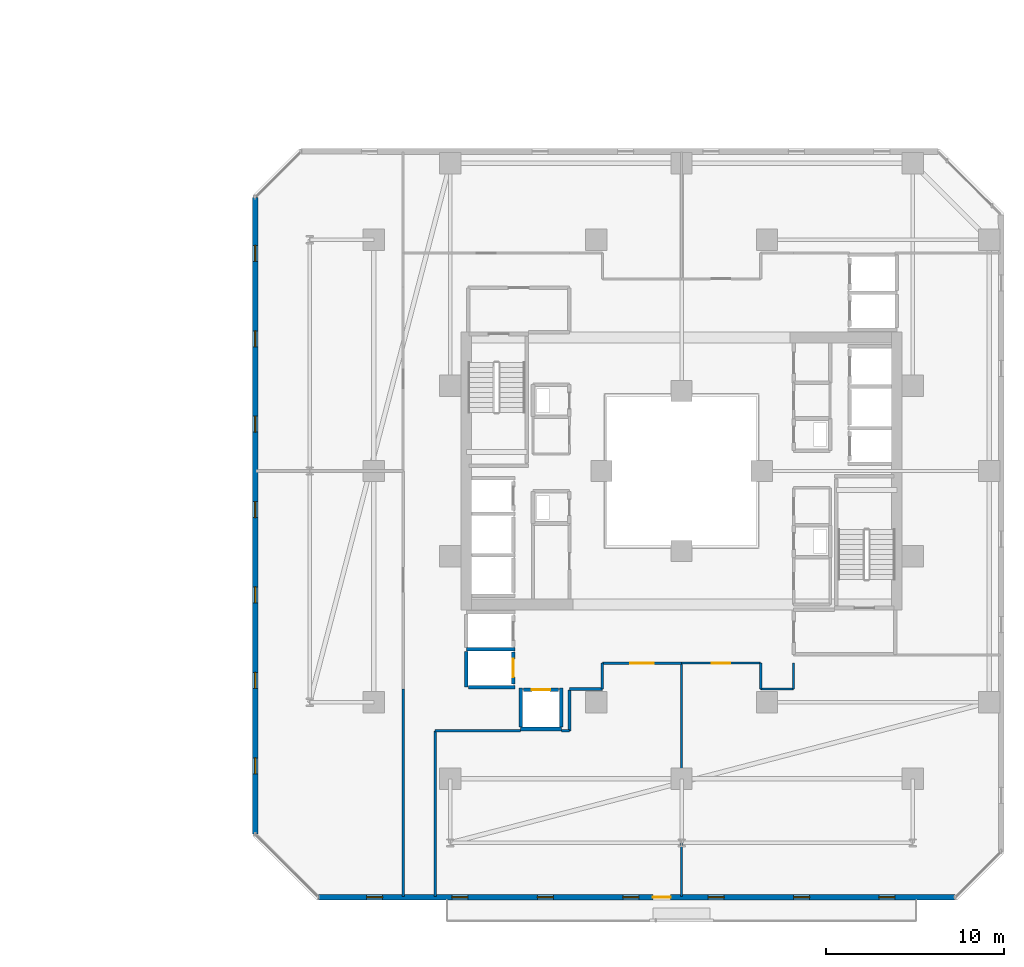
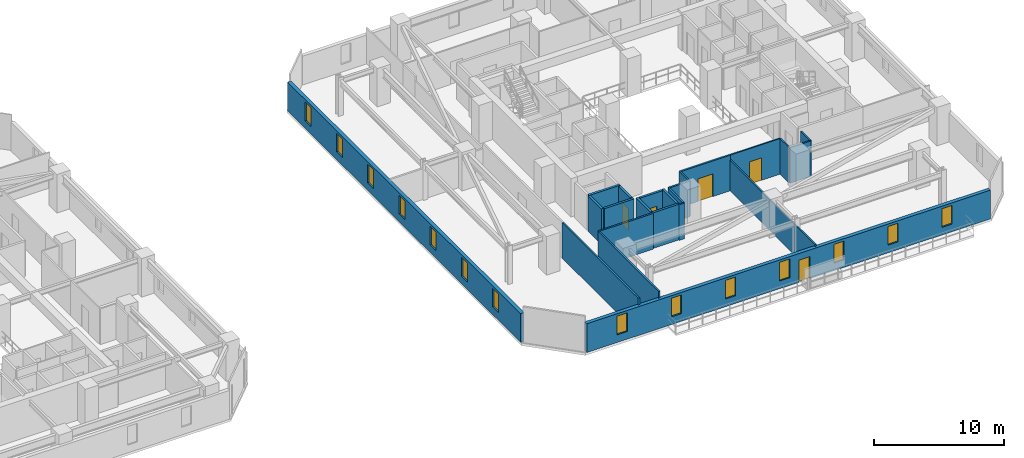
# One storey, part 23 of 33: 23 walls, 14 windows, 5 doors, 19 openings.
"""IFC4 building model written with IfcOpenShell, lengths in metres."""

import ifcopenshell
import ifcopenshell.guid

model = None  # the IFC model being written
_history = None  # IfcOwnerHistory: only IFC2X3 demands one
_inside = {}  # id of a spatial element -> (the spatial element, [elements in it])
_under = {}  # id of a project, library or spatial element -> (it, [spatial elements below it])
_declared = {}  # id of a project -> (the project, [libraries it declares])
_typed = {}  # id of a type object -> (the type object, [elements of that type])
_made_of = {}  # id of a material, layer set ... -> (it, [elements and type objects made of it])


def new_model(schema):
    """Start an empty IFC model of exactly this schema.

    Asked for "IFC4X3", IfcOpenShell would pick the latest addendum, in which some entities
    have other attributes; the version numbers below select the first issue.
    IFC2X3 requires an IfcOwnerHistory on every rooted entity: one is made here for all.
    """
    global model, _history
    if schema == "IFC4X3":
        model = ifcopenshell.file(schema_version=(4, 3, 0, 0))
    else:
        model = ifcopenshell.file(schema=schema)
    _inside.clear()
    _under.clear()
    _declared.clear()
    _typed.clear()
    _made_of.clear()
    _history = None
    if model.schema == "IFC2X3":
        org = make("IfcOrganization", Name="unknown")
        user = make(
            "IfcPersonAndOrganization",
            ThePerson=make("IfcPerson", FamilyName="unknown"),
            TheOrganization=org,
        )
        app = make(
            "IfcApplication",
            ApplicationDeveloper=org,
            Version="unknown",
            ApplicationFullName="unknown",
            ApplicationIdentifier="unknown",
        )
        _history = make(
            "IfcOwnerHistory",
            OwningUser=user,
            OwningApplication=app,
            ChangeAction="ADDED",
            CreationDate=0,
        )
    return model


def make(cls, **values):
    """One entity of the class cls with the attributes given. An attribute that is None is left unset."""
    return model.create_entity(
        cls, **{name: value for name, value in values.items() if value is not None}
    )


def rooted(cls, **values):
    """An entity with a GlobalId (a new one), such as an element, a storey or a relation."""
    return make(cls, GlobalId=ifcopenshell.guid.new(), OwnerHistory=_history, **values)


def si_unit(unit_type, name, prefix=None):
    """IfcSIUnit, for example si_unit("LENGTHUNIT", "METRE", prefix="MILLI")."""
    return make("IfcSIUnit", UnitType=unit_type, Prefix=prefix, Name=name)


def assignment(units):
    """IfcUnitAssignment: the units of a project."""
    return None if units is None else make("IfcUnitAssignment", Units=units)


def point(xyz):
    """IfcCartesianPoint."""
    return None if xyz is None else make("IfcCartesianPoint", Coordinates=xyz)


def direction(xyz):
    """IfcDirection."""
    return None if xyz is None else make("IfcDirection", DirectionRatios=xyz)


def frame(location, z_axis=None, x_axis=None):
    """IfcAxis2Placement3D, a coordinate frame: its origin and axes. An axis left out is left unset."""
    return make(
        "IfcAxis2Placement3D",
        Location=point(location),
        Axis=direction(z_axis),
        RefDirection=direction(x_axis),
    )


def frame_2d(location, x_axis=None):
    """IfcAxis2Placement2D, a coordinate frame in the plane: its origin and x axis."""
    return make(
        "IfcAxis2Placement2D", Location=point(location), RefDirection=direction(x_axis)
    )


def origin():
    """The frame at (0, 0, 0) with its axes left unset."""
    return frame((0.0, 0.0, 0.0))


def place(relative_to, where):
    """IfcLocalPlacement: puts the frame where relative to a parent placement (None: the world)."""
    return make(
        "IfcLocalPlacement", PlacementRelTo=relative_to, RelativePlacement=where
    )


def context(
    kind, dimensions, precision=None, world=None, true_north=None, identifier=None
):
    """IfcGeometricRepresentationContext, for example the 3D "Model" context."""
    return make(
        "IfcGeometricRepresentationContext",
        ContextIdentifier=identifier,
        ContextType=kind,
        CoordinateSpaceDimension=dimensions,
        Precision=precision,
        WorldCoordinateSystem=world,
        TrueNorth=true_north,
    )


def subcontext(parent, identifier, kind, view, scale=None):
    """IfcGeometricRepresentationSubContext, for example "Body" below "Model"."""
    return make(
        "IfcGeometricRepresentationSubContext",
        ContextIdentifier=identifier,
        ContextType=kind,
        ParentContext=parent,
        TargetScale=scale,
        TargetView=view,
    )


def project(units=None, contexts=None):
    """IfcProject with its units and contexts."""
    return rooted(
        "IfcProject",
        Name="project",
        RepresentationContexts=contexts,
        UnitsInContext=assignment(units),
    )


def spatial(cls, under=None, at=None, **own):
    """A site, building, storey or space (cls), placed at a placement, below another one or the project."""
    s = rooted(cls, ObjectPlacement=at, **own)
    if under is not None:
        _under.setdefault(under.id(), (under, []))[1].append(s)
    return s


def profile(cls, at=None, kind="AREA", **sizes):
    """A parametric profile (cls). Its sizes go by their IFC names, for example OverallWidth=200.0."""
    return make(cls, ProfileType=kind, Position=at, **sizes)


def rectangle(**sizes):
    """IfcRectangleProfileDef."""
    return profile("IfcRectangleProfileDef", **sizes)


def extrude(swept, where, along, depth):
    """IfcExtrudedAreaSolid: the profile swept, set in the frame where, extruded along a direction by depth."""
    return make(
        "IfcExtrudedAreaSolid",
        SweptArea=swept,
        Position=where,
        ExtrudedDirection=direction(along),
        Depth=depth,
    )


def shape(context_of_items, identifier, shape_type, items):
    """IfcShapeRepresentation: the items that make up one representation, for example the "Body"."""
    return make(
        "IfcShapeRepresentation",
        ContextOfItems=context_of_items,
        RepresentationIdentifier=identifier,
        RepresentationType=shape_type,
        Items=items,
    )


def material(Name=None, Category=None):
    """IfcMaterial."""
    return make("IfcMaterial", Name=Name, Category=Category)


def layer(
    of_material, thickness, ventilated=None, Name=None, Category=None, Priority=None
):
    """IfcMaterialLayer: one layer of a wall or slab, of a material (None: an air gap)."""
    return make(
        "IfcMaterialLayer",
        Material=of_material,
        LayerThickness=thickness,
        IsVentilated=ventilated,
        Name=Name,
        Category=Category,
        Priority=Priority,
    )


def layer_set(layers, Name=None):
    """IfcMaterialLayerSet."""
    return make("IfcMaterialLayerSet", MaterialLayers=layers, LayerSetName=Name)


def made_of(thing, what):
    """Note that an element or type object is made of a material, layer set ...; save() writes the relation."""
    if what is not None:
        _made_of.setdefault(what.id(), (what, []))[1].append(thing)
    return thing


def type_object(cls, material=None, **own):
    """A type object (cls), such as IfcWallType, which elements share."""
    return made_of(rooted(cls, **own), material)


def element(
    cls,
    number,
    at=None,
    inside=None,
    cuts=None,
    type_object=None,
    material=None,
    context=None,
    identifier="Body",
    shape_type=None,
    held_by="IfcProductDefinitionShape",
    body=None,
    shapes=None,
    **own,
):
    """One element of the class cls, such as IfcWall. Its Tag is "e" and its number.

    at: its placement. inside: the storey or other place that contains it. cuts: it is an
    opening in that element (IfcRelVoidsElement). A single representation is given by context,
    identifier, shape_type and body (its items); several are given by shapes. held_by: the class
    of the entity that holds the representations. save() writes the other relations.
    """
    e = rooted(cls, Tag="e%d" % number, ObjectPlacement=at, **own)
    if body is not None:
        shapes = [shape(context, identifier, shape_type, body)]
    if shapes is not None:
        e.Representation = make(held_by, Representations=shapes)
    if inside is not None:
        _inside.setdefault(inside.id(), (inside, []))[1].append(e)
    if cuts is not None:
        rooted(
            "IfcRelVoidsElement", RelatingBuildingElement=cuts, RelatedOpeningElement=e
        )
    if type_object is not None:
        _typed.setdefault(type_object.id(), (type_object, []))[1].append(e)
    return made_of(e, material)


def fill(opening, filler):
    """IfcRelFillsElement: the door or window that sits in an opening."""
    return rooted(
        "IfcRelFillsElement",
        RelatingOpeningElement=opening,
        RelatedBuildingElement=filler,
    )


def aggregate(whole, parts):
    """IfcRelAggregates: a whole, such as a stair, and the parts it consists of."""
    return rooted("IfcRelAggregates", RelatingObject=whole, RelatedObjects=parts)


def save(model, path):
    """Write the relations noted so far, then the file.

    IfcRelAggregates (storeys below a building ...), IfcRelContainedInSpatialStructure (elements
    in a storey), IfcRelDefinesByType, IfcRelAssociatesMaterial and IfcRelDeclares: one each for
    every whole, place, type object, material and project.
    """
    for whole, parts in _under.values():
        aggregate(whole, parts)
    for where, things in _inside.values():
        rooted(
            "IfcRelContainedInSpatialStructure",
            RelatedElements=things,
            RelatingStructure=where,
        )
    for kind, things in _typed.values():
        rooted("IfcRelDefinesByType", RelatedObjects=things, RelatingType=kind)
    for what, things in _made_of.values():
        rooted("IfcRelAssociatesMaterial", RelatedObjects=things, RelatingMaterial=what)
    for by, libraries in _declared.values():
        rooted("IfcRelDeclares", RelatingContext=by, RelatedDefinitions=libraries)
    model.write(path)


model = new_model("IFC4")

# Units and contexts
model_context = context("Model", 3, precision=1e-05, world=origin(), true_north=direction((0.0, 1.0)))
body_context = subcontext(model_context, "Body", "Model", "MODEL_VIEW")
ifc_project = project(units=[si_unit("LENGTHUNIT", "METRE"), si_unit("AREAUNIT", "SQUARE_METRE"), si_unit("VOLUMEUNIT", "CUBIC_METRE"), si_unit("PLANEANGLEUNIT", "RADIAN"), si_unit("MASSUNIT", "GRAM", prefix="KILO")], contexts=[model_context])

# Site, building, storey
site_placement = place(None, origin())
site = spatial("IfcSite", under=ifc_project, at=site_placement, CompositionType="ELEMENT")
building_placement = place(site_placement, origin())
building = spatial("IfcBuilding", under=site, at=building_placement, Name="Thornwick Lancets Civic Towers", CompositionType="ELEMENT")
storey_placement = place(building_placement, frame((0.0, 0.0, 105.300048828125)))
storey = spatial("IfcBuildingStorey", under=building, at=storey_placement, Name="L27", CompositionType="ELEMENT", Elevation=105.300048828125)

# Wall, opening, door
ifc_material_1 = material(Name="Concrete blockwork C40/50", Category="masonry")
ifc_layer_1 = layer(ifc_material_1, 0.199951171875, Name="Concrete blockwork C40/50")
ifc_layer_set_1 = layer_set([ifc_layer_1], Name="Concrete blockwork C40/50")
wall_type_1 = type_object("IfcWallType", Name="WALL_COMP_200", PredefinedType="STANDARD", material=ifc_layer_set_1)
wall_1_placement = place(storey_placement, frame((79.050048828125, 15.030029296875, 0.0), z_axis=(0.0, 0.0, 1.0), x_axis=(0.0, 1.0, 0.0)))
wall_1 = element("IfcWall", 1, at=wall_1_placement, inside=storey, type_object=wall_type_1, Name="L27 Hoistway Front Wall PL-BM2", PredefinedType="STANDARD", context=body_context, shape_type="SweptSolid", body=[
    extrude(rectangle(XDim=1.7900390625, YDim=0.199951171875, at=frame_2d((0.89501953125, 0.0))), origin(), (0.0, 0.0, 1.0), 3.33984375),
])
opening_1_placement = place(wall_1_placement, frame((0.385009765625, 0.0, 0.0)))
opening_1 = element("IfcOpeningElement", 2, at=opening_1_placement, cuts=wall_1, Name="Opening LD-PL-BM2", PredefinedType="OPENING", context=body_context, shape_type="SweptSolid", body=[
    extrude(rectangle(XDim=1.02001953125, YDim=2.06005859375, at=frame_2d((0.510009765625, 1.030029296875))), frame((0.0, 0.10986328125, 0.0), z_axis=(0.0, -1.0, 0.0), x_axis=(1.0, 0.0, 0.0)), (0.0, 0.0, 1.0), 0.219970703125),
])
ifc_material_2 = material(Name="Brushed bronze stainless steel", Category="steel")
door_type_1 = type_object("IfcDoorType", Name="DOOR_LIFT_SLIDE", OperationType="SLIDING_TO_LEFT", PredefinedType="DOOR", material=ifc_material_2)
door_1_placement = place(opening_1_placement, origin())
door_1 = element("IfcDoor", 3, at=door_1_placement, inside=storey, type_object=door_type_1, Name="L27 Sliding Lift Landing Door LD-PL-BM2", OperationType="SLIDING_TO_LEFT", OverallHeight=2.06005859375, OverallWidth=1.02001953125, PredefinedType="DOOR", context=body_context, shape_type="SweptSolid", body=[
    extrude(rectangle(XDim=1.02001953125, YDim=2.06005859375, at=frame_2d((0.510009765625, 1.030029296875))), frame((0.0, 0.02490234375, 0.0), z_axis=(0.0, -1.0, 0.0), x_axis=(1.0, 0.0, 0.0)), (0.0, 0.0, 1.0), 0.050048828125),
])
fill(opening_1, door_1)

wall_2_placement = place(storey_placement, frame((79.6298828125, 14.699951171875, 0.0), z_axis=(0.0, 0.0, 1.0), x_axis=(1.0, 0.0, 0.0)))
wall_2 = element("IfcWall", 4, at=wall_2_placement, inside=storey, type_object=wall_type_1, Name="L27 Hoistway Front Wall PL-BM3", PredefinedType="STANDARD", context=body_context, shape_type="SweptSolid", body=[
    extrude(rectangle(XDim=1.940185546875, YDim=0.199951171875, at=frame_2d((0.97021484375, 0.0))), origin(), (0.0, 0.0, 1.0), 3.33984375),
])
opening_2_placement = place(wall_2_placement, frame((0.4599609375, 0.0, 0.0)))
opening_2 = element("IfcOpeningElement", 5, at=opening_2_placement, cuts=wall_2, Name="Opening LD-PL-BM3", PredefinedType="OPENING", context=body_context, shape_type="SweptSolid", body=[
    extrude(rectangle(XDim=1.02001953125, YDim=2.06005859375, at=frame_2d((0.510009765625, 1.030029296875))), frame((0.0, 0.10986328125, 0.0), z_axis=(0.0, -1.0, 0.0), x_axis=(1.0, 0.0, 0.0)), (0.0, 0.0, 1.0), 0.219970703125),
])
door_2_placement = place(opening_2_placement, origin())
door_2 = element("IfcDoor", 6, at=door_2_placement, inside=storey, type_object=door_type_1, Name="L27 Sliding Lift Landing Door LD-PL-BM3", OperationType="SLIDING_TO_LEFT", OverallHeight=2.06005859375, OverallWidth=1.02001953125, PredefinedType="DOOR", context=body_context, shape_type="SweptSolid", body=[
    extrude(rectangle(XDim=1.02001953125, YDim=2.06005859375, at=frame_2d((0.510009765625, 1.030029296875))), frame((0.0, 0.02490234375, 0.0), z_axis=(0.0, -1.0, 0.0), x_axis=(1.0, 0.0, 0.0)), (0.0, 0.0, 1.0), 0.050048828125),
])
fill(opening_2, door_2)

# Walls
wall_3_placement = place(storey_placement, frame((76.402099609375, 16.97509765625, 0.0), z_axis=(0.0, 0.0, 1.0), x_axis=(1.0, 0.0, 0.0)))
element("IfcWall", 7, at=wall_3_placement, inside=storey, type_object=wall_type_1, Name="L27 Hoistway Shaft Wall PL-BM1 S", PredefinedType="STANDARD", context=body_context, shape_type="SweptSolid", body=[
    extrude(rectangle(XDim=2.745849609375, YDim=0.199951171875, at=frame_2d((1.373046875, 0.0))), origin(), (0.0, 0.0, 1.0), 3.33984375),
])
wall_4_placement = place(storey_placement, frame((76.39990234375, 14.85205078125, 0.0), z_axis=(0.0, 0.0, 1.0), x_axis=(0.0, 1.0, 0.0)))
element("IfcWall", 8, at=wall_4_placement, inside=storey, type_object=wall_type_1, Name="L27 Hoistway Shaft Wall PL-BM1 W", PredefinedType="STANDARD", context=body_context, shape_type="SweptSolid", body=[
    extrude(rectangle(XDim=2.015869140625, YDim=0.199951171875, at=frame_2d((1.0078125, 0.0))), origin(), (0.0, 0.0, 1.0), 3.33984375),
])
wall_5_placement = place(storey_placement, frame((76.511962890625, 14.85009765625, 0.0), z_axis=(0.0, 0.0, 1.0), x_axis=(1.0, 0.0, 0.0)))
element("IfcWall", 9, at=wall_5_placement, inside=storey, type_object=wall_type_1, Name="L27 Hoistway Shaft Wall PL-BM2 S", PredefinedType="STANDARD", context=body_context, shape_type="SweptSolid", body=[
    extrude(rectangle(XDim=2.635986328125, YDim=0.199951171875, at=frame_2d((1.31787109375, 0.0))), origin(), (0.0, 0.0, 1.0), 3.33984375),
])
wall_6_placement = place(storey_placement, frame((79.451904296875, 12.5, 0.0), z_axis=(0.0, 0.0, 1.0), x_axis=(1.0, 0.0, 0.0)))
element("IfcWall", 10, at=wall_6_placement, inside=storey, type_object=wall_type_1, Name="L27 Hoistway Shaft Wall PL-BM3 S", PredefinedType="STANDARD", context=body_context, shape_type="SweptSolid", body=[
    extrude(rectangle(XDim=2.296142578125, YDim=0.199951171875, at=frame_2d((1.14794921875, 0.0))), origin(), (0.0, 0.0, 1.0), 3.33984375),
])
for number, where, z_axis, x_axis, name in (
    (11, (81.75, 12.612060546875, 0.0), (0.0, 0.0, 1.0), (0.0, 1.0, 0.0), "L27 Hoistway Shaft Wall PL-BM3 E"),
    (12, (79.449951171875, 12.612060546875, 0.0), (0.0, 0.0, 1.0), (0.0, 1.0, 0.0), "L27 Hoistway Shaft Wall PL-BM3 W"),
):
    element("IfcWall", number, at=place(storey_placement, frame(where, z_axis=z_axis, x_axis=x_axis)), inside=storey, type_object=wall_type_1, Name=name, PredefinedType="STANDARD", context=body_context, shape_type="SweptSolid", body=[
        extrude(rectangle(XDim=2.18603515625, YDim=0.199951171875, at=frame_2d((1.093017578125, 0.0))), origin(), (0.0, 0.0, 1.0), 3.33984375),
    ])

# Wall, openings, door, windows
ifc_material_3 = material(Name="Insulated buff terracotta rainscreen on concrete C40/50", Category="masonry")
ifc_layer_2 = layer(ifc_material_3, 0.320068359375, Name="Insulated buff terracotta rainscreen on concrete C40/50")
ifc_layer_set_2 = layer_set([ifc_layer_2], Name="Insulated buff terracotta rainscreen on concrete C40/50")
wall_type_2 = type_object("IfcWallType", Name="WALL_EXT_TERRA_320", PredefinedType="STANDARD", material=ifc_layer_set_2)
wall_7_placement = place(storey_placement, frame((68.096923828125, 3.03857421875, 0.0), z_axis=(0.0, 0.0, 1.0), x_axis=(0.999999996067, -8.8693006e-05, 0.0)))
wall_7 = element("IfcWall", 13, at=wall_7_placement, inside=storey, type_object=wall_type_2, Name="L27 Tower B Terracotta Facade Wall E0", PredefinedType="STANDARD", context=body_context, shape_type="SweptSolid", body=[
    extrude(rectangle(XDim=35.784423828125, YDim=0.320068359375, at=frame_2d((17.89208984375, 0.0))), origin(), (0.0, 0.0, 1.0), 2.699951171875),
])
opening_3_placement = place(wall_7_placement, frame((18.792236328125, 0.0, 0.0)))
opening_3 = element("IfcOpeningElement", 14, at=opening_3_placement, cuts=wall_7, Name="Opening D-BL-L27-BS", PredefinedType="OPENING", context=body_context, shape_type="SweptSolid", body=[
    extrude(rectangle(XDim=1.0, YDim=2.080078125, at=frame_2d((0.5, 1.0400390625))), frame((0.0, 0.169921875, 0.0), z_axis=(0.0, -1.0, 0.0), x_axis=(1.0, 0.0, 0.0)), (0.0, 0.0, 1.0), 0.340087890625),
])
opening_4_placement = place(wall_7_placement, frame((2.699951171875, 0.0, 0.719970703125)))
opening_4 = element("IfcOpeningElement", 15, at=opening_4_placement, cuts=wall_7, Name="Opening WL-01", PredefinedType="OPENING", context=body_context, shape_type="SweptSolid", body=[
    extrude(rectangle(XDim=0.89990234375, YDim=1.75, at=frame_2d((0.449951171875, 0.875))), frame((0.0, 0.169921875, 0.0), z_axis=(0.0, -1.0, 0.0), x_axis=(1.0, 0.0, 0.0)), (0.0, 0.0, 1.0), 0.340087890625),
])
opening_5_placement = place(wall_7_placement, frame((7.5, 0.0, 0.719970703125)))
opening_5 = element("IfcOpeningElement", 16, at=opening_5_placement, cuts=wall_7, Name="Opening WL-01", PredefinedType="OPENING", context=body_context, shape_type="SweptSolid", body=[
    extrude(rectangle(XDim=0.89990234375, YDim=1.75, at=frame_2d((0.449951171875, 0.875))), frame((0.0, 0.169921875, 0.0), z_axis=(0.0, -1.0, 0.0), x_axis=(1.0, 0.0, 0.0)), (0.0, 0.0, 1.0), 0.340087890625),
])
opening_6_placement = place(wall_7_placement, frame((12.300048828125, 0.0, 0.719970703125)))
opening_6 = element("IfcOpeningElement", 17, at=opening_6_placement, cuts=wall_7, Name="Opening WL-01", PredefinedType="OPENING", context=body_context, shape_type="SweptSolid", body=[
    extrude(rectangle(XDim=0.89990234375, YDim=1.75, at=frame_2d((0.449951171875, 0.875))), frame((0.0, 0.169921875, 0.0), z_axis=(0.0, -1.0, 0.0), x_axis=(1.0, 0.0, 0.0)), (0.0, 0.0, 1.0), 0.340087890625),
])
opening_7_placement = place(wall_7_placement, frame((17.10009765625, 0.0, 0.719970703125)))
opening_7 = element("IfcOpeningElement", 18, at=opening_7_placement, cuts=wall_7, Name="Opening WL-01", PredefinedType="OPENING", context=body_context, shape_type="SweptSolid", body=[
    extrude(rectangle(XDim=0.89990234375, YDim=1.75, at=frame_2d((0.449951171875, 0.875))), frame((0.0, 0.169921875, 0.0), z_axis=(0.0, -1.0, 0.0), x_axis=(1.0, 0.0, 0.0)), (0.0, 0.0, 1.0), 0.340087890625),
])
opening_8_placement = place(wall_7_placement, frame((21.89990234375, 0.0, 0.719970703125)))
opening_8 = element("IfcOpeningElement", 19, at=opening_8_placement, cuts=wall_7, Name="Opening WL-01", PredefinedType="OPENING", context=body_context, shape_type="SweptSolid", body=[
    extrude(rectangle(XDim=0.89990234375, YDim=1.75, at=frame_2d((0.449951171875, 0.875))), frame((0.0, 0.169921875, 0.0), z_axis=(0.0, -1.0, 0.0), x_axis=(1.0, 0.0, 0.0)), (0.0, 0.0, 1.0), 0.340087890625),
])
opening_9_placement = place(wall_7_placement, frame((26.699951171875, 0.0, 0.719970703125)))
opening_9 = element("IfcOpeningElement", 20, at=opening_9_placement, cuts=wall_7, Name="Opening WL-01", PredefinedType="OPENING", context=body_context, shape_type="SweptSolid", body=[
    extrude(rectangle(XDim=0.89990234375, YDim=1.75, at=frame_2d((0.449951171875, 0.875))), frame((0.0, 0.169921875, 0.0), z_axis=(0.0, -1.0, 0.0), x_axis=(1.0, 0.0, 0.0)), (0.0, 0.0, 1.0), 0.340087890625),
])
opening_10_placement = place(wall_7_placement, frame((31.5, 0.0, 0.719970703125)))
opening_10 = element("IfcOpeningElement", 21, at=opening_10_placement, cuts=wall_7, Name="Opening WL-01", PredefinedType="OPENING", context=body_context, shape_type="SweptSolid", body=[
    extrude(rectangle(XDim=0.89990234375, YDim=1.75, at=frame_2d((0.449951171875, 0.875))), frame((0.0, 0.169921875, 0.0), z_axis=(0.0, -1.0, 0.0), x_axis=(1.0, 0.0, 0.0)), (0.0, 0.0, 1.0), 0.340087890625),
])
ifc_material_4 = material(Name="Thermally broken glazed loggia doorset")
door_type_2 = type_object("IfcDoorType", Name="DOOR_BALC_1000", OperationType="NOTDEFINED", PredefinedType="DOOR", material=ifc_material_4)
door_3_placement = place(opening_3_placement, origin())
door_3 = element("IfcDoor", 22, at=door_3_placement, inside=storey, type_object=door_type_2, Name="L27 Tower B Loggia Balcony Door S", OperationType="SINGLE_SWING_RIGHT", OverallHeight=2.080078125, OverallWidth=1.0, PredefinedType="DOOR", context=body_context, shape_type="SweptSolid", body=[
    extrude(rectangle(XDim=1.0, YDim=2.080078125, at=frame_2d((0.5, 1.0400390625))), frame((0.0, 0.02490234375, 0.0), z_axis=(0.0, -1.0, 0.0), x_axis=(1.0, 0.0, 0.0)), (0.0, 0.0, 1.0), 0.050048828125),
])
fill(opening_3, door_3)
ifc_material_5 = material(Name="Clear low-e double glazing in bronze frame", Category="glass")
window_type = type_object("IfcWindowType", Name="WIN_LANCET_900", PartitioningType="SINGLE_PANEL", PredefinedType="WINDOW", material=ifc_material_5)
window_1_placement = place(opening_4_placement, origin())
window_1 = element("IfcWindow", 23, at=window_1_placement, inside=storey, type_object=window_type, Name="L27 Tower B Staggered Lancet Window E0-1", OverallHeight=1.75, OverallWidth=0.89990234375, PartitioningType="SINGLE_PANEL", PredefinedType="WINDOW", context=body_context, shape_type="SweptSolid", body=[
    extrude(rectangle(XDim=0.89990234375, YDim=1.75, at=frame_2d((0.449951171875, 0.875))), frame((0.0, 0.030029296875, 0.0), z_axis=(0.0, -1.0, 0.0), x_axis=(1.0, 0.0, 0.0)), (0.0, 0.0, 1.0), 0.06005859375),
])
fill(opening_4, window_1)
window_2_placement = place(opening_5_placement, origin())
window_2 = element("IfcWindow", 24, at=window_2_placement, inside=storey, type_object=window_type, Name="L27 Tower B Staggered Lancet Window E0-2", OverallHeight=1.75, OverallWidth=0.89990234375, PartitioningType="SINGLE_PANEL", PredefinedType="WINDOW", context=body_context, shape_type="SweptSolid", body=[
    extrude(rectangle(XDim=0.89990234375, YDim=1.75, at=frame_2d((0.449951171875, 0.875))), frame((0.0, 0.030029296875, 0.0), z_axis=(0.0, -1.0, 0.0), x_axis=(1.0, 0.0, 0.0)), (0.0, 0.0, 1.0), 0.06005859375),
])
fill(opening_5, window_2)
window_3_placement = place(opening_6_placement, origin())
window_3 = element("IfcWindow", 25, at=window_3_placement, inside=storey, type_object=window_type, Name="L27 Tower B Staggered Lancet Window E0-3", OverallHeight=1.75, OverallWidth=0.89990234375, PartitioningType="SINGLE_PANEL", PredefinedType="WINDOW", context=body_context, shape_type="SweptSolid", body=[
    extrude(rectangle(XDim=0.89990234375, YDim=1.75, at=frame_2d((0.449951171875, 0.875))), frame((0.0, 0.030029296875, 0.0), z_axis=(0.0, -1.0, 0.0), x_axis=(1.0, 0.0, 0.0)), (0.0, 0.0, 1.0), 0.06005859375),
])
fill(opening_6, window_3)
window_4_placement = place(opening_7_placement, origin())
window_4 = element("IfcWindow", 26, at=window_4_placement, inside=storey, type_object=window_type, Name="L27 Tower B Staggered Lancet Window E0-4", OverallHeight=1.75, OverallWidth=0.89990234375, PartitioningType="SINGLE_PANEL", PredefinedType="WINDOW", context=body_context, shape_type="SweptSolid", body=[
    extrude(rectangle(XDim=0.89990234375, YDim=1.75, at=frame_2d((0.449951171875, 0.875))), frame((0.0, 0.030029296875, 0.0), z_axis=(0.0, -1.0, 0.0), x_axis=(1.0, 0.0, 0.0)), (0.0, 0.0, 1.0), 0.06005859375),
])
fill(opening_7, window_4)
window_5_placement = place(opening_8_placement, origin())
window_5 = element("IfcWindow", 27, at=window_5_placement, inside=storey, type_object=window_type, Name="L27 Tower B Staggered Lancet Window E0-5", OverallHeight=1.75, OverallWidth=0.89990234375, PartitioningType="SINGLE_PANEL", PredefinedType="WINDOW", context=body_context, shape_type="SweptSolid", body=[
    extrude(rectangle(XDim=0.89990234375, YDim=1.75, at=frame_2d((0.449951171875, 0.875))), frame((0.0, 0.030029296875, 0.0), z_axis=(0.0, -1.0, 0.0), x_axis=(1.0, 0.0, 0.0)), (0.0, 0.0, 1.0), 0.06005859375),
])
fill(opening_8, window_5)
window_6_placement = place(opening_9_placement, origin())
window_6 = element("IfcWindow", 28, at=window_6_placement, inside=storey, type_object=window_type, Name="L27 Tower B Staggered Lancet Window E0-6", OverallHeight=1.75, OverallWidth=0.89990234375, PartitioningType="SINGLE_PANEL", PredefinedType="WINDOW", context=body_context, shape_type="SweptSolid", body=[
    extrude(rectangle(XDim=0.89990234375, YDim=1.75, at=frame_2d((0.449951171875, 0.875))), frame((0.0, 0.030029296875, 0.0), z_axis=(0.0, -1.0, 0.0), x_axis=(1.0, 0.0, 0.0)), (0.0, 0.0, 1.0), 0.06005859375),
])
fill(opening_9, window_6)
window_7_placement = place(opening_10_placement, origin())
window_7 = element("IfcWindow", 29, at=window_7_placement, inside=storey, type_object=window_type, Name="L27 Tower B Staggered Lancet Window E0-7", OverallHeight=1.75, OverallWidth=0.89990234375, PartitioningType="SINGLE_PANEL", PredefinedType="WINDOW", context=body_context, shape_type="SweptSolid", body=[
    extrude(rectangle(XDim=0.89990234375, YDim=1.75, at=frame_2d((0.449951171875, 0.875))), frame((0.0, 0.030029296875, 0.0), z_axis=(0.0, -1.0, 0.0), x_axis=(1.0, 0.0, 0.0)), (0.0, 0.0, 1.0), 0.06005859375),
])
fill(opening_10, window_7)

# Wall, openings, windows
wall_8_placement = place(storey_placement, frame((64.535400390625, 42.38134765625, 0.0), z_axis=(0.0, 0.0, 1.0), x_axis=(8.8693006e-05, -0.999999996067, 0.0)))
wall_8 = element("IfcWall", 30, at=wall_8_placement, inside=storey, type_object=wall_type_2, Name="L27 Tower B Terracotta Facade Wall E6", PredefinedType="STANDARD", context=body_context, shape_type="SweptSolid", body=[
    extrude(rectangle(XDim=35.784423828125, YDim=0.320068359375, at=frame_2d((17.89208984375, 0.0))), origin(), (0.0, 0.0, 1.0), 2.699951171875),
])
opening_11_placement = place(wall_8_placement, frame((2.699951171875, 0.0, 0.719970703125)))
opening_11 = element("IfcOpeningElement", 31, at=opening_11_placement, cuts=wall_8, Name="Opening WL-01", PredefinedType="OPENING", context=body_context, shape_type="SweptSolid", body=[
    extrude(rectangle(XDim=0.89990234375, YDim=1.75, at=frame_2d((0.449951171875, 0.875))), frame((0.0, 0.169921875, 0.0), z_axis=(0.0, -1.0, 0.0), x_axis=(1.0, 0.0, 0.0)), (0.0, 0.0, 1.0), 0.340087890625),
])
opening_12_placement = place(wall_8_placement, frame((7.5, 0.0, 0.719970703125)))
opening_12 = element("IfcOpeningElement", 32, at=opening_12_placement, cuts=wall_8, Name="Opening WL-01", PredefinedType="OPENING", context=body_context, shape_type="SweptSolid", body=[
    extrude(rectangle(XDim=0.89990234375, YDim=1.75, at=frame_2d((0.449951171875, 0.875))), frame((0.0, 0.169921875, 0.0), z_axis=(0.0, -1.0, 0.0), x_axis=(1.0, 0.0, 0.0)), (0.0, 0.0, 1.0), 0.340087890625),
])
opening_13_placement = place(wall_8_placement, frame((12.300048828125, 0.0, 0.719970703125)))
opening_13 = element("IfcOpeningElement", 33, at=opening_13_placement, cuts=wall_8, Name="Opening WL-01", PredefinedType="OPENING", context=body_context, shape_type="SweptSolid", body=[
    extrude(rectangle(XDim=0.89990234375, YDim=1.75, at=frame_2d((0.449951171875, 0.875))), frame((0.0, 0.169921875, 0.0), z_axis=(0.0, -1.0, 0.0), x_axis=(1.0, 0.0, 0.0)), (0.0, 0.0, 1.0), 0.340087890625),
])
opening_14_placement = place(wall_8_placement, frame((17.10009765625, 0.0, 0.719970703125)))
opening_14 = element("IfcOpeningElement", 34, at=opening_14_placement, cuts=wall_8, Name="Opening WL-01", PredefinedType="OPENING", context=body_context, shape_type="SweptSolid", body=[
    extrude(rectangle(XDim=0.89990234375, YDim=1.75, at=frame_2d((0.449951171875, 0.875))), frame((0.0, 0.169921875, 0.0), z_axis=(0.0, -1.0, 0.0), x_axis=(1.0, 0.0, 0.0)), (0.0, 0.0, 1.0), 0.340087890625),
])
opening_15_placement = place(wall_8_placement, frame((21.89990234375, 0.0, 0.719970703125)))
opening_15 = element("IfcOpeningElement", 35, at=opening_15_placement, cuts=wall_8, Name="Opening WL-01", PredefinedType="OPENING", context=body_context, shape_type="SweptSolid", body=[
    extrude(rectangle(XDim=0.89990234375, YDim=1.75, at=frame_2d((0.449951171875, 0.875))), frame((0.0, 0.169921875, 0.0), z_axis=(0.0, -1.0, 0.0), x_axis=(1.0, 0.0, 0.0)), (0.0, 0.0, 1.0), 0.340087890625),
])
opening_16_placement = place(wall_8_placement, frame((26.699951171875, 0.0, 0.719970703125)))
opening_16 = element("IfcOpeningElement", 36, at=opening_16_placement, cuts=wall_8, Name="Opening WL-01", PredefinedType="OPENING", context=body_context, shape_type="SweptSolid", body=[
    extrude(rectangle(XDim=0.89990234375, YDim=1.75, at=frame_2d((0.449951171875, 0.875))), frame((0.0, 0.169921875, 0.0), z_axis=(0.0, -1.0, 0.0), x_axis=(1.0, 0.0, 0.0)), (0.0, 0.0, 1.0), 0.340087890625),
])
opening_17_placement = place(wall_8_placement, frame((31.5, 0.0, 0.719970703125)))
opening_17 = element("IfcOpeningElement", 37, at=opening_17_placement, cuts=wall_8, Name="Opening WL-01", PredefinedType="OPENING", context=body_context, shape_type="SweptSolid", body=[
    extrude(rectangle(XDim=0.89990234375, YDim=1.75, at=frame_2d((0.449951171875, 0.875))), frame((0.0, 0.169921875, 0.0), z_axis=(0.0, -1.0, 0.0), x_axis=(1.0, 0.0, 0.0)), (0.0, 0.0, 1.0), 0.340087890625),
])
window_8_placement = place(opening_11_placement, origin())
window_8 = element("IfcWindow", 38, at=window_8_placement, inside=storey, type_object=window_type, Name="L27 Tower B Staggered Lancet Window E6-1", OverallHeight=1.75, OverallWidth=0.89990234375, PartitioningType="SINGLE_PANEL", PredefinedType="WINDOW", context=body_context, shape_type="SweptSolid", body=[
    extrude(rectangle(XDim=0.89990234375, YDim=1.75, at=frame_2d((0.449951171875, 0.875))), frame((0.0, 0.030029296875, 0.0), z_axis=(0.0, -1.0, 0.0), x_axis=(1.0, 0.0, 0.0)), (0.0, 0.0, 1.0), 0.06005859375),
])
fill(opening_11, window_8)
window_9_placement = place(opening_12_placement, origin())
window_9 = element("IfcWindow", 39, at=window_9_placement, inside=storey, type_object=window_type, Name="L27 Tower B Staggered Lancet Window E6-2", OverallHeight=1.75, OverallWidth=0.89990234375, PartitioningType="SINGLE_PANEL", PredefinedType="WINDOW", context=body_context, shape_type="SweptSolid", body=[
    extrude(rectangle(XDim=0.89990234375, YDim=1.75, at=frame_2d((0.449951171875, 0.875))), frame((0.0, 0.030029296875, 0.0), z_axis=(0.0, -1.0, 0.0), x_axis=(1.0, 0.0, 0.0)), (0.0, 0.0, 1.0), 0.06005859375),
])
fill(opening_12, window_9)
window_10_placement = place(opening_13_placement, origin())
window_10 = element("IfcWindow", 40, at=window_10_placement, inside=storey, type_object=window_type, Name="L27 Tower B Staggered Lancet Window E6-3", OverallHeight=1.75, OverallWidth=0.89990234375, PartitioningType="SINGLE_PANEL", PredefinedType="WINDOW", context=body_context, shape_type="SweptSolid", body=[
    extrude(rectangle(XDim=0.89990234375, YDim=1.75, at=frame_2d((0.449951171875, 0.875))), frame((0.0, 0.030029296875, 0.0), z_axis=(0.0, -1.0, 0.0), x_axis=(1.0, 0.0, 0.0)), (0.0, 0.0, 1.0), 0.06005859375),
])
fill(opening_13, window_10)
window_11_placement = place(opening_14_placement, origin())
window_11 = element("IfcWindow", 41, at=window_11_placement, inside=storey, type_object=window_type, Name="L27 Tower B Staggered Lancet Window E6-4", OverallHeight=1.75, OverallWidth=0.89990234375, PartitioningType="SINGLE_PANEL", PredefinedType="WINDOW", context=body_context, shape_type="SweptSolid", body=[
    extrude(rectangle(XDim=0.89990234375, YDim=1.75, at=frame_2d((0.449951171875, 0.875))), frame((0.0, 0.030029296875, 0.0), z_axis=(0.0, -1.0, 0.0), x_axis=(1.0, 0.0, 0.0)), (0.0, 0.0, 1.0), 0.06005859375),
])
fill(opening_14, window_11)
window_12_placement = place(opening_15_placement, origin())
window_12 = element("IfcWindow", 42, at=window_12_placement, inside=storey, type_object=window_type, Name="L27 Tower B Staggered Lancet Window E6-5", OverallHeight=1.75, OverallWidth=0.89990234375, PartitioningType="SINGLE_PANEL", PredefinedType="WINDOW", context=body_context, shape_type="SweptSolid", body=[
    extrude(rectangle(XDim=0.89990234375, YDim=1.75, at=frame_2d((0.449951171875, 0.875))), frame((0.0, 0.030029296875, 0.0), z_axis=(0.0, -1.0, 0.0), x_axis=(1.0, 0.0, 0.0)), (0.0, 0.0, 1.0), 0.06005859375),
])
fill(opening_15, window_12)
window_13_placement = place(opening_16_placement, origin())
window_13 = element("IfcWindow", 43, at=window_13_placement, inside=storey, type_object=window_type, Name="L27 Tower B Staggered Lancet Window E6-6", OverallHeight=1.75, OverallWidth=0.89990234375, PartitioningType="SINGLE_PANEL", PredefinedType="WINDOW", context=body_context, shape_type="SweptSolid", body=[
    extrude(rectangle(XDim=0.89990234375, YDim=1.75, at=frame_2d((0.449951171875, 0.875))), frame((0.0, 0.030029296875, 0.0), z_axis=(0.0, -1.0, 0.0), x_axis=(1.0, 0.0, 0.0)), (0.0, 0.0, 1.0), 0.06005859375),
])
fill(opening_16, window_13)
window_14_placement = place(opening_17_placement, origin())
window_14 = element("IfcWindow", 44, at=window_14_placement, inside=storey, type_object=window_type, Name="L27 Tower B Staggered Lancet Window E6-7", OverallHeight=1.75, OverallWidth=0.89990234375, PartitioningType="SINGLE_PANEL", PredefinedType="WINDOW", context=body_context, shape_type="SweptSolid", body=[
    extrude(rectangle(XDim=0.89990234375, YDim=1.75, at=frame_2d((0.449951171875, 0.875))), frame((0.0, 0.030029296875, 0.0), z_axis=(0.0, -1.0, 0.0), x_axis=(1.0, 0.0, 0.0)), (0.0, 0.0, 1.0), 0.06005859375),
])
fill(opening_17, window_14)

# Walls
ifc_material_6 = material(Name="Acoustic gypsum board partition")
ifc_layer_3 = layer(ifc_material_6, 0.1201171875, Name="Acoustic gypsum board partition")
ifc_layer_set_3 = layer_set([ifc_layer_3], Name="Acoustic gypsum board partition")
wall_type_3 = type_object("IfcWallType", Name="WALL_PART_120", PredefinedType="PARTITIONING", material=ifc_layer_set_3)
wall_9_placement = place(storey_placement, frame((92.949951171875, 16.199951171875, 0.0), z_axis=(0.0, 0.0, 1.0), x_axis=(0.0, -1.0, 0.0)))
element("IfcWall", 45, at=wall_9_placement, inside=storey, type_object=wall_type_3, Name="L27 Partition L27-B-W1 E1", PredefinedType="PARTITIONING", context=body_context, shape_type="SweptSolid", body=[
    extrude(rectangle(XDim=1.449951171875, YDim=0.1201171875, at=frame_2d((0.72509765625, 0.0))), origin(), (0.0, 0.0, 1.0), 3.33984375),
])
wall_10_placement = place(storey_placement, frame((92.949951171875, 14.75, 0.0), z_axis=(0.0, 0.0, 1.0), x_axis=(1.0, 0.0, 0.0)))
element("IfcWall", 46, at=wall_10_placement, inside=storey, type_object=wall_type_3, Name="L27 Partition L27-B-W1 E2", PredefinedType="PARTITIONING", context=body_context, shape_type="SweptSolid", body=[
    extrude(rectangle(XDim=1.85009765625, YDim=0.1201171875, at=frame_2d((0.925048828125, 0.0))), origin(), (0.0, 0.0, 1.0), 3.33984375),
])
wall_11_placement = place(storey_placement, frame((94.800048828125, 14.75, 0.0), z_axis=(0.0, 0.0, 1.0), x_axis=(0.0, 1.0, 0.0)))
element("IfcWall", 47, at=wall_11_placement, inside=storey, type_object=wall_type_3, Name="L27 Partition L27-B-W1 E3", PredefinedType="PARTITIONING", context=body_context, shape_type="SweptSolid", body=[
    extrude(rectangle(XDim=1.449951171875, YDim=0.1201171875, at=frame_2d((0.72509765625, 0.0))), origin(), (0.0, 0.0, 1.0), 3.33984375),
])
wall_12_placement = place(storey_placement, frame((88.5, 3.080078125, 0.0), z_axis=(0.0, 0.0, 1.0), x_axis=(0.0, 1.0, 0.0)))
element("IfcWall", 48, at=wall_12_placement, inside=storey, type_object=wall_type_3, Name="L27 Partition L27-B-W1 E9", PredefinedType="PARTITIONING", context=body_context, shape_type="SweptSolid", body=[
    extrude(rectangle(XDim=13.119873046875, YDim=0.1201171875, at=frame_2d((6.56005859375, 0.0))), origin(), (0.0, 0.0, 1.0), 2.877685546875),
])

# Wall, opening, door
wall_13_placement = place(storey_placement, frame((88.5, 16.199951171875, 0.0), z_axis=(0.0, 0.0, 1.0), x_axis=(1.0, 0.0, 0.0)))
wall_13 = element("IfcWall", 49, at=wall_13_placement, inside=storey, type_object=wall_type_3, Name="L27 Partition L27-B-W1 E10", PredefinedType="PARTITIONING", context=body_context, shape_type="SweptSolid", body=[
    extrude(rectangle(XDim=4.449951171875, YDim=0.1201171875, at=frame_2d((2.22509765625, 0.0))), origin(), (0.0, 0.0, 1.0), 3.33984375),
])
opening_18_placement = place(wall_13_placement, frame((1.699951171875, 0.0, 0.0)))
opening_18 = element("IfcOpeningElement", 50, at=opening_18_placement, cuts=wall_13, Name="Opening D-L27-1263", PredefinedType="OPENING", context=body_context, shape_type="SweptSolid", body=[
    extrude(rectangle(XDim=1.050048828125, YDim=2.10009765625, at=frame_2d((0.52490234375, 1.050048828125))), frame((0.0, 0.070068359375, 0.0), z_axis=(0.0, -1.0, 0.0), x_axis=(1.0, 0.0, 0.0)), (0.0, 0.0, 1.0), 0.14013671875),
])
ifc_material_7 = material(Name="Glazed European oak executive doorset")
door_type_3 = type_object("IfcDoorType", Name="DOOR_OFFICE_1050", OperationType="NOTDEFINED", PredefinedType="DOOR", material=ifc_material_7)
door_4_placement = place(opening_18_placement, origin())
door_4 = element("IfcDoor", 51, at=door_4_placement, inside=storey, type_object=door_type_3, Name="L27 Tower B Ministry Directorate Office W1 Door", OperationType="SINGLE_SWING_RIGHT", OverallHeight=2.10009765625, OverallWidth=1.050048828125, PredefinedType="DOOR", context=body_context, shape_type="SweptSolid", body=[
    extrude(rectangle(XDim=1.050048828125, YDim=2.10009765625, at=frame_2d((0.52490234375, 1.050048828125))), frame((0.0, 0.02490234375, 0.0), z_axis=(0.0, -1.0, 0.0), x_axis=(1.0, 0.0, 0.0)), (0.0, 0.0, 1.0), 0.050048828125),
])
fill(opening_18, door_4)

# Walls
ifc_material_8 = material(Name="Twin-stud acoustic gypsum board")
ifc_layer_4 = layer(ifc_material_8, 0.14990234375, Name="Twin-stud acoustic gypsum board")
ifc_layer_set_4 = layer_set([ifc_layer_4], Name="Twin-stud acoustic gypsum board")
wall_type_4 = type_object("IfcWallType", Name="WALL_PART_150", PredefinedType="PARTITIONING", material=ifc_layer_set_4)
wall_14_placement = place(storey_placement, frame((82.199951171875, 12.39990234375, 0.0), z_axis=(0.0, 0.0, 1.0), x_axis=(0.0, 1.0, 0.0)))
element("IfcWall", 52, at=wall_14_placement, inside=storey, type_object=wall_type_4, Name="L27 Partition L27-B-W2 E1", PredefinedType="PARTITIONING", context=body_context, shape_type="SweptSolid", body=[
    extrude(rectangle(XDim=2.300048828125, YDim=0.14990234375, at=frame_2d((1.14990234375, 0.0))), origin(), (0.0, 0.0, 1.0), 3.33984375),
])
wall_15_placement = place(storey_placement, frame((82.199951171875, 14.75, 0.0), z_axis=(0.0, 0.0, 1.0), x_axis=(1.0, 0.0, 0.0)))
element("IfcWall", 53, at=wall_15_placement, inside=storey, type_object=wall_type_4, Name="L27 Partition L27-B-W2 E3", PredefinedType="PARTITIONING", context=body_context, shape_type="SweptSolid", body=[
    extrude(rectangle(XDim=1.85009765625, YDim=0.14990234375, at=frame_2d((0.925048828125, 0.0))), origin(), (0.0, 0.0, 1.0), 3.33984375),
])
wall_16_placement = place(storey_placement, frame((84.050048828125, 14.75, 0.0), z_axis=(0.0, 0.0, 1.0), x_axis=(0.0, 1.0, 0.0)))
element("IfcWall", 54, at=wall_16_placement, inside=storey, type_object=wall_type_4, Name="L27 Partition L27-B-W2 E4", PredefinedType="PARTITIONING", context=body_context, shape_type="SweptSolid", body=[
    extrude(rectangle(XDim=1.449951171875, YDim=0.14990234375, at=frame_2d((0.72509765625, 0.0))), origin(), (0.0, 0.0, 1.0), 3.33984375),
])

# Wall, opening, door
wall_17_placement = place(storey_placement, frame((84.050048828125, 16.199951171875, 0.0), z_axis=(0.0, 0.0, 1.0), x_axis=(1.0, 0.0, 0.0)))
wall_17 = element("IfcWall", 55, at=wall_17_placement, inside=storey, type_object=wall_type_4, Name="L27 Partition L27-B-W2 E5", PredefinedType="PARTITIONING", context=body_context, shape_type="SweptSolid", body=[
    extrude(rectangle(XDim=4.449951171875, YDim=0.14990234375, at=frame_2d((2.22509765625, 0.0))), origin(), (0.0, 0.0, 1.0), 3.33984375),
])
opening_19_placement = place(wall_17_placement, frame((1.574951171875, 0.0, 0.0)))
opening_19 = element("IfcOpeningElement", 56, at=opening_19_placement, cuts=wall_17, Name="Opening D-L27-1264", PredefinedType="OPENING", context=body_context, shape_type="SweptSolid", body=[
    extrude(rectangle(XDim=1.300048828125, YDim=2.1201171875, at=frame_2d((0.64990234375, 1.06005859375))), frame((0.0, 0.0849609375, 0.0), z_axis=(0.0, -1.0, 0.0), x_axis=(1.0, 0.0, 0.0)), (0.0, 0.0, 1.0), 0.169921875),
])
ifc_material_9 = material(Name="Acoustic oak leaf-and-a-half doorset")
door_type_4 = type_object("IfcDoorType", Name="DOOR_MEET_1300", OperationType="DOUBLE_DOOR_SINGLE_SWING", PredefinedType="DOOR", material=ifc_material_9)
door_5_placement = place(opening_19_placement, origin())
door_5 = element("IfcDoor", 57, at=door_5_placement, inside=storey, type_object=door_type_4, Name="L27 Tower B Policy Briefing Room W2 Door", OperationType="DOUBLE_DOOR_SINGLE_SWING", OverallHeight=2.1201171875, OverallWidth=1.300048828125, PredefinedType="DOOR", context=body_context, shape_type="SweptSolid", body=[
    extrude(rectangle(XDim=1.300048828125, YDim=2.1201171875, at=frame_2d((0.64990234375, 1.06005859375))), frame((0.0, 0.02490234375, 0.0), z_axis=(0.0, -1.0, 0.0), x_axis=(1.0, 0.0, 0.0)), (0.0, 0.0, 1.0), 0.050048828125),
])
fill(opening_19, door_5)

# Walls
wall_18_placement = place(storey_placement, frame((74.64990234375, 3.080078125, 0.0), z_axis=(0.0, 0.0, 1.0), x_axis=(0.0, 1.0, 0.0)))
element("IfcWall", 58, at=wall_18_placement, inside=storey, type_object=wall_type_4, Name="L27 Partition L27-B-W2 E8", PredefinedType="PARTITIONING", context=body_context, shape_type="SweptSolid", body=[
    extrude(rectangle(XDim=9.31982421875, YDim=0.14990234375, at=frame_2d((4.659912109375, 0.0))), origin(), (0.0, 0.0, 1.0), 3.33984375),
])
wall_19_placement = place(storey_placement, frame((74.64990234375, 12.39990234375, 0.0), z_axis=(0.0, 0.0, 1.0), x_axis=(1.0, 0.0, 0.0)))
element("IfcWall", 59, at=wall_19_placement, inside=storey, type_object=wall_type_4, Name="L27 Partition L27-B-W2 E9", PredefinedType="PARTITIONING", context=body_context, shape_type="SweptSolid", body=[
    extrude(rectangle(XDim=4.802001953125, YDim=0.14990234375, at=frame_2d((2.40087890625, 0.0))), origin(), (0.0, 0.0, 1.0), 3.33984375),
])
wall_20_placement = place(storey_placement, frame((81.748046875, 12.39990234375, 0.0), z_axis=(0.0, 0.0, 1.0), x_axis=(1.0, 0.0, 0.0)))
element("IfcWall", 60, at=wall_20_placement, inside=storey, type_object=wall_type_4, Name="L27 Partition L27-B-W2 E9", PredefinedType="PARTITIONING", context=body_context, shape_type="SweptSolid", body=[
    extrude(rectangle(XDim=0.451904296875, YDim=0.14990234375, at=frame_2d((0.22607421875, 0.0))), origin(), (0.0, 0.0, 1.0), 3.33984375),
])
wall_21_placement = place(storey_placement, frame((72.85009765625, 14.75, 0.0), z_axis=(0.0, 0.0, 1.0), x_axis=(0.0, -1.0, 0.0)))
element("IfcWall", 61, at=wall_21_placement, inside=storey, type_object=wall_type_4, Name="L27 Partition L27-B-N-CONF E1", PredefinedType="PARTITIONING", context=body_context, shape_type="SweptSolid", body=[
    extrude(rectangle(XDim=11.669921875, YDim=0.14990234375, at=frame_2d((5.8349609375, 0.0))), origin(), (0.0, 0.0, 1.0), 3.33984375),
])

save(model, "model.ifc")
